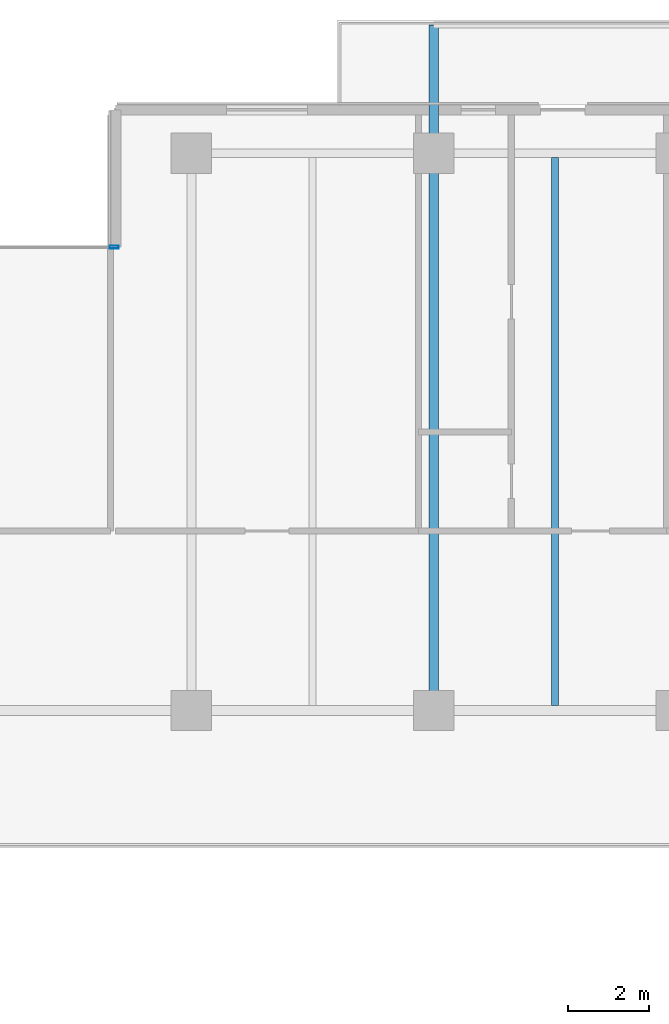
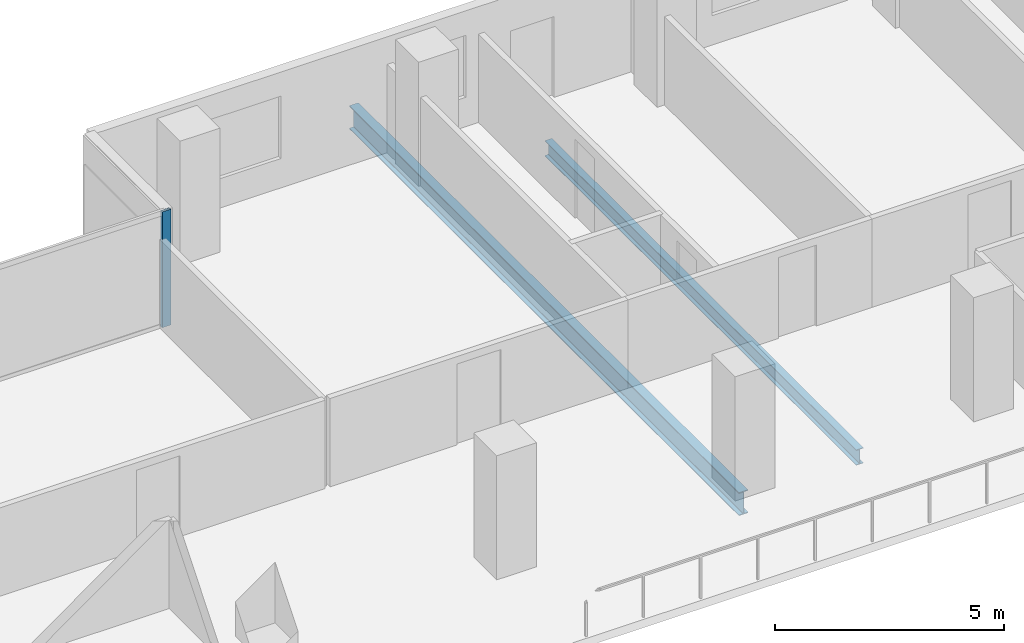
# One storey, part 8 of 23: 2 beams, 1 member, 1 element without a shape of its own.
"""IFC4 building model written with IfcOpenShell, lengths in metres."""

import ifcopenshell
import ifcopenshell.guid

model = None  # the IFC model being written
_history = None  # IfcOwnerHistory: only IFC2X3 demands one
_inside = {}  # id of a spatial element -> (the spatial element, [elements in it])
_under = {}  # id of a project, library or spatial element -> (it, [spatial elements below it])
_declared = {}  # id of a project -> (the project, [libraries it declares])
_typed = {}  # id of a type object -> (the type object, [elements of that type])
_made_of = {}  # id of a material, layer set ... -> (it, [elements and type objects made of it])


def new_model(schema):
    """Start an empty IFC model of exactly this schema.

    Asked for "IFC4X3", IfcOpenShell would pick the latest addendum, in which some entities
    have other attributes; the version numbers below select the first issue.
    IFC2X3 requires an IfcOwnerHistory on every rooted entity: one is made here for all.
    """
    global model, _history
    if schema == "IFC4X3":
        model = ifcopenshell.file(schema_version=(4, 3, 0, 0))
    else:
        model = ifcopenshell.file(schema=schema)
    _inside.clear()
    _under.clear()
    _declared.clear()
    _typed.clear()
    _made_of.clear()
    _history = None
    if model.schema == "IFC2X3":
        org = make("IfcOrganization", Name="unknown")
        user = make(
            "IfcPersonAndOrganization",
            ThePerson=make("IfcPerson", FamilyName="unknown"),
            TheOrganization=org,
        )
        app = make(
            "IfcApplication",
            ApplicationDeveloper=org,
            Version="unknown",
            ApplicationFullName="unknown",
            ApplicationIdentifier="unknown",
        )
        _history = make(
            "IfcOwnerHistory",
            OwningUser=user,
            OwningApplication=app,
            ChangeAction="ADDED",
            CreationDate=0,
        )
    return model


def make(cls, **values):
    """One entity of the class cls with the attributes given. An attribute that is None is left unset."""
    return model.create_entity(
        cls, **{name: value for name, value in values.items() if value is not None}
    )


def rooted(cls, **values):
    """An entity with a GlobalId (a new one), such as an element, a storey or a relation."""
    return make(cls, GlobalId=ifcopenshell.guid.new(), OwnerHistory=_history, **values)


def si_unit(unit_type, name, prefix=None):
    """IfcSIUnit, for example si_unit("LENGTHUNIT", "METRE", prefix="MILLI")."""
    return make("IfcSIUnit", UnitType=unit_type, Prefix=prefix, Name=name)


def assignment(units):
    """IfcUnitAssignment: the units of a project."""
    return None if units is None else make("IfcUnitAssignment", Units=units)


def point(xyz):
    """IfcCartesianPoint."""
    return None if xyz is None else make("IfcCartesianPoint", Coordinates=xyz)


def direction(xyz):
    """IfcDirection."""
    return None if xyz is None else make("IfcDirection", DirectionRatios=xyz)


def frame(location, z_axis=None, x_axis=None):
    """IfcAxis2Placement3D, a coordinate frame: its origin and axes. An axis left out is left unset."""
    return make(
        "IfcAxis2Placement3D",
        Location=point(location),
        Axis=direction(z_axis),
        RefDirection=direction(x_axis),
    )


def frame_2d(location, x_axis=None):
    """IfcAxis2Placement2D, a coordinate frame in the plane: its origin and x axis."""
    return make(
        "IfcAxis2Placement2D", Location=point(location), RefDirection=direction(x_axis)
    )


def origin():
    """The frame at (0, 0, 0) with its axes left unset."""
    return frame((0.0, 0.0, 0.0))


def origin_2d():
    """The frame at (0, 0) in the plane with its x axis left unset."""
    return frame_2d((0.0, 0.0))


def place(relative_to, where):
    """IfcLocalPlacement: puts the frame where relative to a parent placement (None: the world)."""
    return make(
        "IfcLocalPlacement", PlacementRelTo=relative_to, RelativePlacement=where
    )


def context(
    kind, dimensions, precision=None, world=None, true_north=None, identifier=None
):
    """IfcGeometricRepresentationContext, for example the 3D "Model" context."""
    return make(
        "IfcGeometricRepresentationContext",
        ContextIdentifier=identifier,
        ContextType=kind,
        CoordinateSpaceDimension=dimensions,
        Precision=precision,
        WorldCoordinateSystem=world,
        TrueNorth=true_north,
    )


def subcontext(parent, identifier, kind, view, scale=None):
    """IfcGeometricRepresentationSubContext, for example "Body" below "Model"."""
    return make(
        "IfcGeometricRepresentationSubContext",
        ContextIdentifier=identifier,
        ContextType=kind,
        ParentContext=parent,
        TargetScale=scale,
        TargetView=view,
    )


def project(units=None, contexts=None):
    """IfcProject with its units and contexts."""
    return rooted(
        "IfcProject",
        Name="project",
        RepresentationContexts=contexts,
        UnitsInContext=assignment(units),
    )


def spatial(cls, under=None, at=None, **own):
    """A site, building, storey or space (cls), placed at a placement, below another one or the project."""
    s = rooted(cls, ObjectPlacement=at, **own)
    if under is not None:
        _under.setdefault(under.id(), (under, []))[1].append(s)
    return s


def profile(cls, at=None, kind="AREA", **sizes):
    """A parametric profile (cls). Its sizes go by their IFC names, for example OverallWidth=200.0."""
    return make(cls, ProfileType=kind, Position=at, **sizes)


def hollow_rectangle(**sizes):
    """IfcRectangleHollowProfileDef."""
    return profile("IfcRectangleHollowProfileDef", **sizes)


def i_section(**sizes):
    """IfcIShapeProfileDef."""
    return profile("IfcIShapeProfileDef", **sizes)


def extrude(swept, where, along, depth):
    """IfcExtrudedAreaSolid: the profile swept, set in the frame where, extruded along a direction by depth."""
    return make(
        "IfcExtrudedAreaSolid",
        SweptArea=swept,
        Position=where,
        ExtrudedDirection=direction(along),
        Depth=depth,
    )


def shape(context_of_items, identifier, shape_type, items):
    """IfcShapeRepresentation: the items that make up one representation, for example the "Body"."""
    return make(
        "IfcShapeRepresentation",
        ContextOfItems=context_of_items,
        RepresentationIdentifier=identifier,
        RepresentationType=shape_type,
        Items=items,
    )


def material(Name=None, Category=None):
    """IfcMaterial."""
    return make("IfcMaterial", Name=Name, Category=Category)


def layer(
    of_material, thickness, ventilated=None, Name=None, Category=None, Priority=None
):
    """IfcMaterialLayer: one layer of a wall or slab, of a material (None: an air gap)."""
    return make(
        "IfcMaterialLayer",
        Material=of_material,
        LayerThickness=thickness,
        IsVentilated=ventilated,
        Name=Name,
        Category=Category,
        Priority=Priority,
    )


def layer_set(layers, Name=None):
    """IfcMaterialLayerSet."""
    return make("IfcMaterialLayerSet", MaterialLayers=layers, LayerSetName=Name)


def material_profile(
    of_material, cross_section, Name=None, Category=None, Priority=None
):
    """IfcMaterialProfile: a cross section and its material."""
    return make(
        "IfcMaterialProfile",
        Name=Name,
        Material=of_material,
        Profile=cross_section,
        Priority=Priority,
        Category=Category,
    )


def profile_set(profiles, Name=None, composite=None):
    """IfcMaterialProfileSet."""
    return make(
        "IfcMaterialProfileSet",
        Name=Name,
        MaterialProfiles=profiles,
        CompositeProfile=composite,
    )


def made_of(thing, what):
    """Note that an element or type object is made of a material, layer set ...; save() writes the relation."""
    if what is not None:
        _made_of.setdefault(what.id(), (what, []))[1].append(thing)
    return thing


def type_object(cls, material=None, **own):
    """A type object (cls), such as IfcWallType, which elements share."""
    return made_of(rooted(cls, **own), material)


def element(
    cls,
    number,
    at=None,
    inside=None,
    cuts=None,
    type_object=None,
    material=None,
    context=None,
    identifier="Body",
    shape_type=None,
    held_by="IfcProductDefinitionShape",
    body=None,
    shapes=None,
    **own,
):
    """One element of the class cls, such as IfcWall. Its Tag is "e" and its number.

    at: its placement. inside: the storey or other place that contains it. cuts: it is an
    opening in that element (IfcRelVoidsElement). A single representation is given by context,
    identifier, shape_type and body (its items); several are given by shapes. held_by: the class
    of the entity that holds the representations. save() writes the other relations.
    """
    e = rooted(cls, Tag="e%d" % number, ObjectPlacement=at, **own)
    if body is not None:
        shapes = [shape(context, identifier, shape_type, body)]
    if shapes is not None:
        e.Representation = make(held_by, Representations=shapes)
    if inside is not None:
        _inside.setdefault(inside.id(), (inside, []))[1].append(e)
    if cuts is not None:
        rooted(
            "IfcRelVoidsElement", RelatingBuildingElement=cuts, RelatedOpeningElement=e
        )
    if type_object is not None:
        _typed.setdefault(type_object.id(), (type_object, []))[1].append(e)
    return made_of(e, material)


def aggregate(whole, parts):
    """IfcRelAggregates: a whole, such as a stair, and the parts it consists of."""
    return rooted("IfcRelAggregates", RelatingObject=whole, RelatedObjects=parts)


def save(model, path):
    """Write the relations noted so far, then the file.

    IfcRelAggregates (storeys below a building ...), IfcRelContainedInSpatialStructure (elements
    in a storey), IfcRelDefinesByType, IfcRelAssociatesMaterial and IfcRelDeclares: one each for
    every whole, place, type object, material and project.
    """
    for whole, parts in _under.values():
        aggregate(whole, parts)
    for where, things in _inside.values():
        rooted(
            "IfcRelContainedInSpatialStructure",
            RelatedElements=things,
            RelatingStructure=where,
        )
    for kind, things in _typed.values():
        rooted("IfcRelDefinesByType", RelatedObjects=things, RelatingType=kind)
    for what, things in _made_of.values():
        rooted("IfcRelAssociatesMaterial", RelatedObjects=things, RelatingMaterial=what)
    for by, libraries in _declared.values():
        rooted("IfcRelDeclares", RelatingContext=by, RelatedDefinitions=libraries)
    model.write(path)


model = new_model("IFC4")

# Units and contexts
model_context = context("Model", 3, precision=1e-05, world=origin(), true_north=direction((0.0, 1.0)))
body_context = subcontext(model_context, "Body", "Model", "MODEL_VIEW")
ifc_project = project(units=[si_unit("LENGTHUNIT", "METRE"), si_unit("AREAUNIT", "SQUARE_METRE"), si_unit("VOLUMEUNIT", "CUBIC_METRE"), si_unit("PLANEANGLEUNIT", "RADIAN"), si_unit("MASSUNIT", "GRAM", prefix="KILO")], contexts=[model_context])

# Site, building, storey
site_placement = place(None, origin())
site = spatial("IfcSite", under=ifc_project, at=site_placement, CompositionType="ELEMENT")
building_placement = place(site_placement, origin())
building = spatial("IfcBuilding", under=site, at=building_placement, Name="Tanjung Sevakor Pilgrim Tower", CompositionType="ELEMENT")
storey_placement = place(building_placement, frame((0.0, 0.0, 98.669921875)))
storey = spatial("IfcBuildingStorey", under=building, at=storey_placement, Name="L27", CompositionType="ELEMENT", Elevation=98.669921875)

# Beams
ifc_material_1 = material(Name="Steel S355J2", Category="steel")
ifc_material_profile_1 = material_profile(ifc_material_1, i_section(OverallWidth=0.230224609375, OverallDepth=0.6171875, WebThickness=0.01318359375, FlangeThickness=0.022216796875, FilletRadius=0.0126953125, at=origin_2d()))
ifc_profile_set_1 = profile_set([ifc_material_profile_1], Name="Steel S355J2")
beam_type_1 = type_object("IfcBeamType", Name="BM-B-G3-UB_610x229x140", PredefinedType="BEAM", material=ifc_profile_set_1)
beam_1_placement = place(storey_placement, frame((60.0, 42.60009765625, -0.528564453125), z_axis=(0.0, 1.0, 0.0), x_axis=(-1.0, 0.0, 0.0)))
element("IfcBeam", 1, at=beam_1_placement, inside=storey, type_object=beam_type_1, Name="L27 Balcony Cantilever Beam MAIN-N2-1", PredefinedType="BEAM", context=body_context, shape_type="SweptSolid", body=[
    extrude(i_section(OverallWidth=0.230224609375, OverallDepth=0.6171875, WebThickness=0.01318359375, FlangeThickness=0.022216796875, FilletRadius=0.0126953125, at=origin_2d()), origin(), (0.0, 0.0, 1.0), 16.97998046875),
])
ifc_material_2 = material(Name="Steel S355J2", Category="steel")
ifc_material_profile_2 = material_profile(ifc_material_2, i_section(OverallWidth=0.1787109375, OverallDepth=0.409423828125, WebThickness=0.0087890625, FlangeThickness=0.014404296875, FilletRadius=0.01025390625, at=origin_2d()))
ifc_profile_set_2 = profile_set([ifc_material_profile_2], Name="Steel S355J2")
beam_type_2 = type_object("IfcBeamType", Name="BM-B-J3-UB_406x178x67", PredefinedType="JOIST", material=ifc_profile_set_2)
beam_2_placement = place(storey_placement, frame((63.0, 42.727294921875, -0.424560546875), z_axis=(0.0, 1.0, 0.0), x_axis=(-1.0, 0.0, 0.0)))
element("IfcBeam", 2, at=beam_2_placement, inside=storey, type_object=beam_type_2, Name="L27 MAIN Joist 017", PredefinedType="JOIST", context=body_context, shape_type="SweptSolid", body=[
    extrude(i_section(OverallWidth=0.1787109375, OverallDepth=0.409423828125, WebThickness=0.0087890625, FlangeThickness=0.014404296875, FilletRadius=0.01025390625, at=origin_2d()), origin(), (0.0, 0.0, 1.0), 13.57275390625),
])

# Curtain wall, member
ifc_material_3 = material(Name="Aluminium 6063-T6 and Low-E Glass", Category="aluminium")
ifc_layer = layer(ifc_material_3, 0.179931640625)
ifc_layer_set = layer_set([ifc_layer], Name="CW-SYS-CLEFT")
curtain_wall_type = type_object("IfcCurtainWallType", Name="CW-SYS-CLEFT", PredefinedType="NOTDEFINED", material=ifc_layer_set)
curtain_wall_placement = place(storey_placement, origin())
curtain_wall = element("IfcCurtainWall", 3, at=curtain_wall_placement, inside=storey, type_object=curtain_wall_type, Name="L27 Curtain Wall CW-CLF-L27-10", PredefinedType="NOTDEFINED")
ifc_material_4 = material(Name="Aluminium 6063-T6", Category="aluminium")
ifc_material_profile_3 = material_profile(ifc_material_4, hollow_rectangle(XDim=0.074951171875, YDim=0.219970703125, WallThickness=0.0048828125, at=origin_2d()))
ifc_profile_set_3 = profile_set([ifc_material_profile_3], Name="Aluminium 6063-T6")
member_type = type_object("IfcMemberType", Name="TYPE-CWM-2", PredefinedType="MULLION", material=ifc_profile_set_3)
member_placement = place(storey_placement, frame((52.08740234375, 54.074951171875, 0.0), z_axis=(0.0, 0.0, 1.0), x_axis=(0.0, -1.0, 0.0)))
member = element("IfcMember", 4, at=member_placement, type_object=member_type, Name="CW-CLF mullion 1", PredefinedType="MULLION", context=body_context, shape_type="SweptSolid", body=[
    extrude(hollow_rectangle(XDim=0.074951171875, YDim=0.219970703125, WallThickness=0.0048828125, at=origin_2d()), origin(), (0.0, 0.0, 1.0), 3.080078125),
])
aggregate(curtain_wall, [member])

save(model, "model.ifc")
